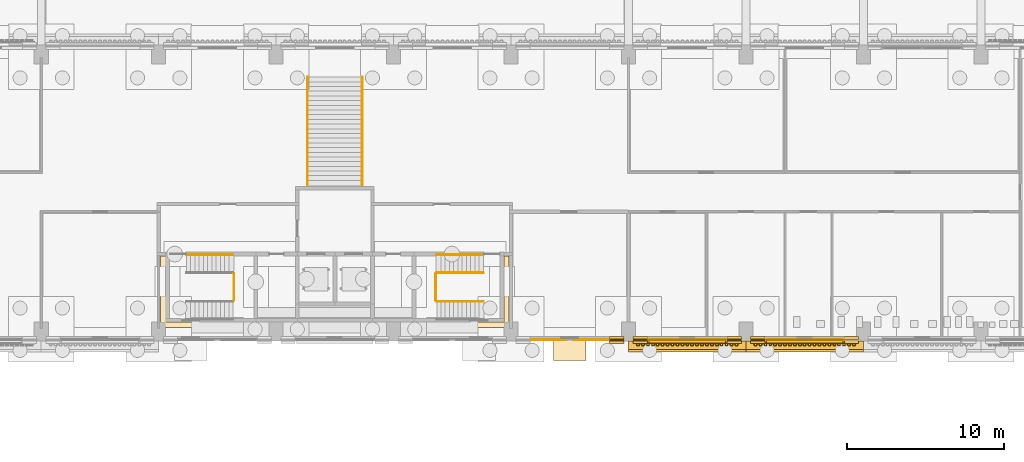
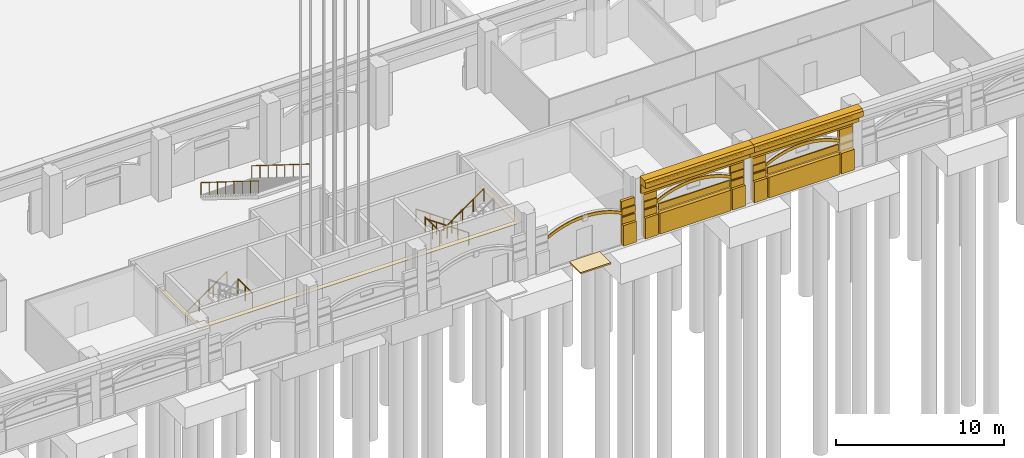
# One storey, part 68 of 99: 33 coverings, 8 railings.
"""IFC4 building model written with IfcOpenShell, lengths in metres."""

from ifc_helpers import new_model, si_unit, direction, frame, origin, origin_2d, place, context, subcontext, project, spatial, polyline, circle, outline, extrude, material, layer, layer_set, type_object, element, save


model = new_model("IFC4")

# Units and contexts
model_context = context("Model", 3, precision=1e-05, world=origin(), true_north=direction((0.0, 1.0)))
body_context = subcontext(model_context, "Body", "Model", "MODEL_VIEW")
ifc_project = project(units=[si_unit("LENGTHUNIT", "METRE"), si_unit("AREAUNIT", "SQUARE_METRE"), si_unit("VOLUMEUNIT", "CUBIC_METRE"), si_unit("PLANEANGLEUNIT", "RADIAN"), si_unit("MASSUNIT", "GRAM", prefix="KILO")], contexts=[model_context])

# Site, building, storey
site_placement = place(None, origin())
site = spatial("IfcSite", under=ifc_project, at=site_placement, CompositionType="ELEMENT")
building_placement = place(site_placement, origin())
building = spatial("IfcBuilding", under=site, at=building_placement, Name="Cour d'Honneur Mobility Palace", CompositionType="ELEMENT")
storey_placement = place(building_placement, origin())
storey = spatial("IfcBuildingStorey", under=building, at=storey_placement, Name="L00", CompositionType="ELEMENT", Elevation=0.0)

# Coverings
ifc_material_1 = material(Name="Cast limestone", Category="masonry")
ifc_layer_1 = layer(ifc_material_1, 0.050048828125)
ifc_layer_set_1 = layer_set([ifc_layer_1], Name="Cast limestone")
covering_type_1 = type_object("IfcCoveringType", Name="Arch hood", PredefinedType="CLADDING", material=ifc_layer_set_1)
for number, where, z_axis, x_axis, name in (
    (1, (93.60009765625, 44.300048828125, 2.179931640625), (0.0, -1.0, 0.0), (0.893466628376, 0.0, 0.449129584839), "Arch hood AH-17"),
    (2, (101.10009765625, 44.300048828125, 2.179931640625), (0.0, -1.0, 0.0), (0.893466628376, 0.0, 0.449129584839), "Arch hood AH-18"),
    (3, (108.60009765625, 44.300048828125, 2.179931640625), (0.0, -1.0, 0.0), (0.893466628376, 0.0, 0.449129584839), "Arch hood AH-19"),
):
    element("IfcCovering", number, at=place(storey_placement, frame(where, z_axis=z_axis, x_axis=x_axis)), inside=storey, type_object=covering_type_1, Name=name, PredefinedType="CLADDING", context=body_context, shape_type="SweptSolid", body=[
        extrude(outline(polyline([(0.0, 0.0), (0.35659251896621735, 0.0), (0.7019994885684498, -0.022795326888668588), (1.0365522012474004, -0.0666397586034293), (1.3614544754480467, -0.13022567619190017), (1.6770364335570624, -0.21235277137119013), (1.9834088964060255, -0.3122569988605455), (2.2812274285521696, -0.4297213972129261), (2.5701654177709066, -0.564308533372167), (2.850768777841922, -0.7160195773922962), (3.122709726486599, -0.8849630099968336), (3.38566048142632, -1.0712473119092998), (3.6398380041081246, -1.2755280476869282), (3.8844770791972314, -1.4982403102778272), (4.119465715808033, -1.740694058742436), (4.343818226996622, -2.004306562810686), (4.556548925819088, -2.2904950922125074), (4.655344276390369, -2.0939586097498237), (4.44272322834545, -1.807551948846934), (4.218261066379314, -1.5441575762797524), (3.983272429768512, -1.3017038278151434), (3.7387430054569535, -1.078773433723176), (3.4844558319976, -0.8747108294466162), (3.221505077057879, -0.68842652753415), (2.949564128413202, -0.5194830949296125), (2.6689607683421865, -0.3677720509094833), (2.3800227791234496, -0.2331849147502425), (2.0822042469773057, -0.11572051639786185), (1.7758317841283424, -0.015816288908506504), (1.4603594767968753, 0.06652893777185187), (1.1353475518186806, 0.12989672385925438), (0.8007948391397299, 0.17374115557401504), (0.45549752031504603, 0.1967546139637521), (0.09879535057128006, 0.19653648246268365), (0.0, 0.0)])), origin(), (0.0, 0.0, -1.0), 0.050048828125),
    ])
ifc_material_2 = material(Name="Cast limestone", Category="masonry")
ifc_layer_2 = layer(ifc_material_2, 0.14990234375)
ifc_layer_set_2 = layer_set([ifc_layer_2], Name="Cast limestone")
covering_type_2 = type_object("IfcCoveringType", Name="Dentil course", PredefinedType="CLADDING", material=ifc_layer_set_2)
covering_1_placement = place(storey_placement, frame((0.0, 0.0, 3.949951171875)))
element("IfcCovering", 4, at=covering_1_placement, inside=storey, type_object=covering_type_2, Name="Dentil course DC-12", PredefinedType="CLADDING", context=body_context, shape_type="SweptSolid", body=[
    extrude(outline(polyline([(100.35009765625, 44.10009765625), (106.949951171875, 44.10009765625), (106.949951171875, 44.070068359375), (106.949951171875, 44.070068359375), (106.871337890625, 44.070068359375), (106.871337890625, 43.949951171875), (106.71435546875, 43.949951171875), (106.71435546875, 44.070068359375), (106.6357421875, 44.070068359375), (106.6357421875, 44.070068359375), (106.55712890625, 44.070068359375), (106.55712890625, 43.949951171875), (106.39990234375, 43.949951171875), (106.39990234375, 44.070068359375), (106.321533203125, 44.070068359375), (106.321533203125, 44.070068359375), (106.242919921875, 44.070068359375), (106.242919921875, 43.949951171875), (106.085693359375, 43.949951171875), (106.085693359375, 44.070068359375), (106.007080078125, 44.070068359375), (106.007080078125, 44.070068359375), (105.928466796875, 44.070068359375), (105.928466796875, 43.949951171875), (105.771484375, 43.949951171875), (105.771484375, 44.070068359375), (105.69287109375, 44.070068359375), (105.69287109375, 44.070068359375), (105.6142578125, 44.070068359375), (105.6142578125, 43.949951171875), (105.45703125, 43.949951171875), (105.45703125, 44.070068359375), (105.378662109375, 44.070068359375), (105.378662109375, 44.070068359375), (105.300048828125, 44.070068359375), (105.300048828125, 43.949951171875), (105.142822265625, 43.949951171875), (105.142822265625, 44.070068359375), (105.064208984375, 44.070068359375), (105.064208984375, 44.070068359375), (104.985595703125, 44.070068359375), (104.985595703125, 43.949951171875), (104.82861328125, 43.949951171875), (104.82861328125, 44.070068359375), (104.75, 44.070068359375), (104.75, 44.070068359375), (104.67138671875, 44.070068359375), (104.67138671875, 43.949951171875), (104.514404296875, 43.949951171875), (104.514404296875, 44.070068359375), (104.435791015625, 44.070068359375), (104.435791015625, 44.070068359375), (104.357177734375, 44.070068359375), (104.357177734375, 43.949951171875), (104.199951171875, 43.949951171875), (104.199951171875, 44.070068359375), (104.121337890625, 44.070068359375), (104.121337890625, 44.070068359375), (104.04296875, 44.070068359375), (104.04296875, 43.949951171875), (103.8857421875, 43.949951171875), (103.8857421875, 44.070068359375), (103.80712890625, 44.070068359375), (103.80712890625, 44.070068359375), (103.728515625, 44.070068359375), (103.728515625, 43.949951171875), (103.571533203125, 43.949951171875), (103.571533203125, 44.070068359375), (103.492919921875, 44.070068359375), (103.492919921875, 44.070068359375), (103.414306640625, 44.070068359375), (103.414306640625, 43.949951171875), (103.257080078125, 43.949951171875), (103.257080078125, 44.070068359375), (103.178466796875, 44.070068359375), (103.178466796875, 44.070068359375), (103.10009765625, 44.070068359375), (103.10009765625, 43.949951171875), (102.94287109375, 43.949951171875), (102.94287109375, 44.070068359375), (102.8642578125, 44.070068359375), (102.8642578125, 44.070068359375), (102.78564453125, 44.070068359375), (102.78564453125, 43.949951171875), (102.628662109375, 43.949951171875), (102.628662109375, 44.070068359375), (102.550048828125, 44.070068359375), (102.550048828125, 44.070068359375), (102.471435546875, 44.070068359375), (102.471435546875, 43.949951171875), (102.314208984375, 43.949951171875), (102.314208984375, 44.070068359375), (102.235595703125, 44.070068359375), (102.235595703125, 44.070068359375), (102.1572265625, 44.070068359375), (102.1572265625, 43.949951171875), (102.0, 43.949951171875), (102.0, 44.070068359375), (101.92138671875, 44.070068359375), (101.92138671875, 44.070068359375), (101.8427734375, 44.070068359375), (101.8427734375, 43.949951171875), (101.685791015625, 43.949951171875), (101.685791015625, 44.070068359375), (101.607177734375, 44.070068359375), (101.607177734375, 44.070068359375), (101.528564453125, 44.070068359375), (101.528564453125, 43.949951171875), (101.371337890625, 43.949951171875), (101.371337890625, 44.070068359375), (101.29296875, 44.070068359375), (101.29296875, 44.070068359375), (101.21435546875, 44.070068359375), (101.21435546875, 43.949951171875), (101.05712890625, 43.949951171875), (101.05712890625, 44.070068359375), (100.978515625, 44.070068359375), (100.978515625, 44.070068359375), (100.89990234375, 44.070068359375), (100.89990234375, 43.949951171875), (100.742919921875, 43.949951171875), (100.742919921875, 44.070068359375), (100.664306640625, 44.070068359375), (100.664306640625, 44.070068359375), (100.585693359375, 44.070068359375), (100.585693359375, 43.949951171875), (100.428466796875, 43.949951171875), (100.428466796875, 44.070068359375), (100.35009765625, 44.070068359375), (100.35009765625, 44.10009765625)])), origin(), (0.0, 0.0, 1.0), 0.150146484375),
])
covering_2_placement = place(storey_placement, frame((0.0, 0.0, 3.949951171875)))
element("IfcCovering", 5, at=covering_2_placement, inside=storey, type_object=covering_type_2, Name="Dentil course DC-13", PredefinedType="CLADDING", context=body_context, shape_type="SweptSolid", body=[
    extrude(outline(polyline([(107.85009765625, 44.10009765625), (114.449951171875, 44.10009765625), (114.449951171875, 44.070068359375), (114.449951171875, 44.070068359375), (114.371337890625, 44.070068359375), (114.371337890625, 43.949951171875), (114.21435546875, 43.949951171875), (114.21435546875, 44.070068359375), (114.1357421875, 44.070068359375), (114.1357421875, 44.070068359375), (114.05712890625, 44.070068359375), (114.05712890625, 43.949951171875), (113.89990234375, 43.949951171875), (113.89990234375, 44.070068359375), (113.821533203125, 44.070068359375), (113.821533203125, 44.070068359375), (113.742919921875, 44.070068359375), (113.742919921875, 43.949951171875), (113.585693359375, 43.949951171875), (113.585693359375, 44.070068359375), (113.507080078125, 44.070068359375), (113.507080078125, 44.070068359375), (113.428466796875, 44.070068359375), (113.428466796875, 43.949951171875), (113.271484375, 43.949951171875), (113.271484375, 44.070068359375), (113.19287109375, 44.070068359375), (113.19287109375, 44.070068359375), (113.1142578125, 44.070068359375), (113.1142578125, 43.949951171875), (112.95703125, 43.949951171875), (112.95703125, 44.070068359375), (112.878662109375, 44.070068359375), (112.878662109375, 44.070068359375), (112.800048828125, 44.070068359375), (112.800048828125, 43.949951171875), (112.642822265625, 43.949951171875), (112.642822265625, 44.070068359375), (112.564208984375, 44.070068359375), (112.564208984375, 44.070068359375), (112.485595703125, 44.070068359375), (112.485595703125, 43.949951171875), (112.32861328125, 43.949951171875), (112.32861328125, 44.070068359375), (112.25, 44.070068359375), (112.25, 44.070068359375), (112.17138671875, 44.070068359375), (112.17138671875, 43.949951171875), (112.014404296875, 43.949951171875), (112.014404296875, 44.070068359375), (111.935791015625, 44.070068359375), (111.935791015625, 44.070068359375), (111.857177734375, 44.070068359375), (111.857177734375, 43.949951171875), (111.699951171875, 43.949951171875), (111.699951171875, 44.070068359375), (111.621337890625, 44.070068359375), (111.621337890625, 44.070068359375), (111.54296875, 44.070068359375), (111.54296875, 43.949951171875), (111.3857421875, 43.949951171875), (111.3857421875, 44.070068359375), (111.30712890625, 44.070068359375), (111.30712890625, 44.070068359375), (111.228515625, 44.070068359375), (111.228515625, 43.949951171875), (111.071533203125, 43.949951171875), (111.071533203125, 44.070068359375), (110.992919921875, 44.070068359375), (110.992919921875, 44.070068359375), (110.914306640625, 44.070068359375), (110.914306640625, 43.949951171875), (110.757080078125, 43.949951171875), (110.757080078125, 44.070068359375), (110.678466796875, 44.070068359375), (110.678466796875, 44.070068359375), (110.60009765625, 44.070068359375), (110.60009765625, 43.949951171875), (110.44287109375, 43.949951171875), (110.44287109375, 44.070068359375), (110.3642578125, 44.070068359375), (110.3642578125, 44.070068359375), (110.28564453125, 44.070068359375), (110.28564453125, 43.949951171875), (110.128662109375, 43.949951171875), (110.128662109375, 44.070068359375), (110.050048828125, 44.070068359375), (110.050048828125, 44.070068359375), (109.971435546875, 44.070068359375), (109.971435546875, 43.949951171875), (109.814208984375, 43.949951171875), (109.814208984375, 44.070068359375), (109.735595703125, 44.070068359375), (109.735595703125, 44.070068359375), (109.6572265625, 44.070068359375), (109.6572265625, 43.949951171875), (109.5, 43.949951171875), (109.5, 44.070068359375), (109.42138671875, 44.070068359375), (109.42138671875, 44.070068359375), (109.3427734375, 44.070068359375), (109.3427734375, 43.949951171875), (109.185791015625, 43.949951171875), (109.185791015625, 44.070068359375), (109.107177734375, 44.070068359375), (109.107177734375, 44.070068359375), (109.028564453125, 44.070068359375), (109.028564453125, 43.949951171875), (108.871337890625, 43.949951171875), (108.871337890625, 44.070068359375), (108.79296875, 44.070068359375), (108.79296875, 44.070068359375), (108.71435546875, 44.070068359375), (108.71435546875, 43.949951171875), (108.55712890625, 43.949951171875), (108.55712890625, 44.070068359375), (108.478515625, 44.070068359375), (108.478515625, 44.070068359375), (108.39990234375, 44.070068359375), (108.39990234375, 43.949951171875), (108.242919921875, 43.949951171875), (108.242919921875, 44.070068359375), (108.164306640625, 44.070068359375), (108.164306640625, 44.070068359375), (108.085693359375, 44.070068359375), (108.085693359375, 43.949951171875), (107.928466796875, 43.949951171875), (107.928466796875, 44.070068359375), (107.85009765625, 44.070068359375), (107.85009765625, 44.10009765625)])), origin(), (0.0, 0.0, 1.0), 0.150146484375),
])
ifc_material_3 = material(Name="Cast limestone", Category="masonry")
ifc_layer_3 = layer(ifc_material_3, 0.699951171875)
ifc_layer_set_3 = layer_set([ifc_layer_3], Name="Cast limestone")
covering_type_3 = type_object("IfcCoveringType", Name="Entablature", PredefinedType="CLADDING", material=ifc_layer_set_3)
for number, where, z_axis, x_axis, name in (
    (6, (99.89990234375, 44.25, 3.39990234375), (-1.0, 0.0, 0.0), (0.0, -1.0, 0.0), "Entablature EN-12"),
    (7, (107.39990234375, 44.25, 3.39990234375), (-1.0, 0.0, 0.0), (0.0, -1.0, 0.0), "Entablature EN-13"),
):
    element("IfcCovering", number, at=place(storey_placement, frame(where, z_axis=z_axis, x_axis=x_axis)), inside=storey, type_object=covering_type_3, Name=name, PredefinedType="CLADDING", context=body_context, shape_type="SweptSolid", body=[
        extrude(outline(polyline([(0.0, 0.0), (0.14990234375, 0.0), (0.14990234375, 0.7001953125), (0.699951171875, 0.7001953125), (0.699951171875, 1.10009765625), (0.550048828125, 1.2001953125), (0.0, 1.2001953125), (0.0, 0.0)])), origin(), (0.0, 0.0, -1.0), 7.5),
    ])
ifc_material_4 = material(Name="Granite paving", Category="masonry")
ifc_layer_4 = layer(ifc_material_4, 0.10009765625)
ifc_layer_set_4 = layer_set([ifc_layer_4], Name="Granite paving")
covering_type_4 = type_object("IfcCoveringType", Name="Entrance paving", PredefinedType="FLOORING", material=ifc_layer_set_4)
covering_3_placement = place(storey_placement, frame((0.0, 0.0, -0.10009765625)))
element("IfcCovering", 8, at=covering_3_placement, inside=storey, type_object=covering_type_4, Name="Entrance paving PV-6", PredefinedType="FLOORING", context=body_context, shape_type="SweptSolid", body=[
    extrude(outline(polyline([(95.10009765625, 44.35009765625), (97.199951171875, 44.35009765625), (97.199951171875, 43.0), (95.10009765625, 43.0), (95.10009765625, 44.35009765625)])), origin(), (0.0, 0.0, 1.0), 0.10009765625),
])

# Railings
ifc_material_5 = material(Name="Painted steel", Category="steel")
railing_type_1 = type_object("IfcRailingType", Name="Guardrail 1100", PredefinedType="GUARDRAIL", material=ifc_material_5)
for number, where, name in (
    (9, (74.705078125, 46.824951171875, 2.25), "Landing guard ST-CC1"),
    (10, (87.594970703125, 46.824951171875, 2.25), "Landing guard ST-CC2"),
):
    element("IfcRailing", number, at=place(storey_placement, frame(where)), inside=storey, type_object=railing_type_1, Name=name, PredefinedType="GUARDRAIL", context=body_context, shape_type="SweptSolid", body=[
        extrude(circle(Radius=0.02490234375, at=origin_2d()), frame((0.0, 0.0, 1.0751953125), z_axis=(0.0, 1.0, 0.0), x_axis=(-1.0, 0.0, 0.0)), (0.0, 0.0, 1.0), 1.72509765625),
        extrude(circle(Radius=0.02099609375, at=origin_2d()), origin(), (0.0, 0.0, 1.0), 1.050048828125),
        extrude(circle(Radius=0.02099609375, at=origin_2d()), frame((0.0, 0.862548828125, 0.0)), (0.0, 0.0, 1.0), 1.050048828125),
        extrude(circle(Radius=0.02099609375, at=origin_2d()), frame((0.0, 1.72509765625, 0.0)), (0.0, 0.0, 1.0), 1.050048828125),
    ])
ifc_material_6 = material(Name="Stainless steel", Category="steel")
railing_type_2 = type_object("IfcRailingType", Name="Handrail round 50", PredefinedType="HANDRAIL", material=ifc_material_6)
railing_1_placement = place(storey_placement, frame((71.77490234375, 49.75, 0.2568359375)))
element("IfcRailing", 11, at=railing_1_placement, inside=storey, type_object=railing_type_2, Name="Handrail ST-CC1", PredefinedType="HANDRAIL", context=body_context, shape_type="SweptSolid", body=[
    extrude(circle(Radius=0.02490234375, at=origin_2d()), frame((0.0, 0.0, 0.89501953125), z_axis=(0.821366328601, 0.0, 0.570401046844), x_axis=(0.0, 1.0, 0.0)), (0.0, 0.0, 1.0), 3.494384765625),
    extrude(circle(Radius=0.02099609375, at=origin_2d()), origin(), (0.0, 0.0, 1.0), 0.869873046875),
    extrude(circle(Radius=0.02099609375, at=origin_2d()), frame((0.956787109375, 0.0, 0.664306640625)), (0.0, 0.0, 1.0), 0.869873046875),
    extrude(circle(Radius=0.02099609375, at=origin_2d()), frame((1.913330078125, 0.0, 1.328857421875)), (0.0, 0.0, 1.0), 0.869873046875),
    extrude(circle(Radius=0.02099609375, at=origin_2d()), frame((2.8701171875, 0.0, 1.9931640625)), (0.0, 0.0, 1.0), 0.869873046875),
])
railing_2_placement = place(storey_placement, frame((90.52490234375, 49.75, 0.2568359375)))
element("IfcRailing", 12, at=railing_2_placement, inside=storey, type_object=railing_type_2, Name="Handrail ST-CC2", PredefinedType="HANDRAIL", context=body_context, shape_type="SweptSolid", body=[
    extrude(circle(Radius=0.02490234375, at=origin_2d()), frame((0.0, 0.0, 0.89501953125), z_axis=(-0.821343594628, 0.0, 0.570433781926), x_axis=(0.0, -1.0, 0.0)), (0.0, 0.0, 1.0), 3.494140625),
    extrude(circle(Radius=0.02099609375, at=origin_2d()), origin(), (0.0, 0.0, 1.0), 0.869873046875),
    extrude(circle(Radius=0.02099609375, at=origin_2d()), frame((-0.95654296875, 0.0, 0.664306640625)), (0.0, 0.0, 1.0), 0.869873046875),
    extrude(circle(Radius=0.02099609375, at=origin_2d()), frame((-1.913330078125, 0.0, 1.328857421875)), (0.0, 0.0, 1.0), 0.869873046875),
    extrude(circle(Radius=0.02099609375, at=origin_2d()), frame((-2.869873046875, 0.0, 1.9931640625)), (0.0, 0.0, 1.0), 0.869873046875),
])
railing_3_placement = place(storey_placement, frame((90.625, 48.60009765625, 0.1875)))
element("IfcRailing", 13, at=railing_3_placement, inside=storey, type_object=railing_type_2, Name="Handrail ST-CC2", PredefinedType="HANDRAIL", context=body_context, shape_type="SweptSolid", body=[
    extrude(circle(Radius=0.02490234375, at=origin_2d()), frame((0.0, 0.0, 0.89501953125), z_axis=(-0.821367329581, 0.0, 0.57039960545), x_axis=(0.0, -1.0, 0.0)), (0.0, 0.0, 1.0), 3.615966796875),
    extrude(circle(Radius=0.02099609375, at=origin_2d()), origin(), (0.0, 0.0, 1.0), 0.869873046875),
    extrude(circle(Radius=0.02099609375, at=origin_2d()), frame((-0.742431640625, 0.0, 0.515625)), (0.0, 0.0, 1.0), 0.869873046875),
    extrude(circle(Radius=0.02099609375, at=origin_2d()), frame((-1.48486328125, 0.0, 1.03125)), (0.0, 0.0, 1.0), 0.869873046875),
    extrude(circle(Radius=0.02099609375, at=origin_2d()), frame((-2.2275390625, 0.0, 1.546875)), (0.0, 0.0, 1.0), 0.869873046875),
    extrude(circle(Radius=0.02099609375, at=origin_2d()), frame((-2.969970703125, 0.0, 2.0625)), (0.0, 0.0, 1.0), 0.869873046875),
])
railing_4_placement = place(storey_placement, frame((87.655029296875, 46.77490234375, 2.4375)))
element("IfcRailing", 14, at=railing_4_placement, inside=storey, type_object=railing_type_2, Name="Handrail ST-CC2", PredefinedType="HANDRAIL", context=body_context, shape_type="SweptSolid", body=[
    extrude(circle(Radius=0.02490234375, at=origin_2d()), frame((0.0, 0.0, 0.89501953125), z_axis=(0.821367329581, 0.0, 0.57039960545), x_axis=(0.0, 1.0, 0.0)), (0.0, 0.0, 1.0), 3.615966796875),
    extrude(circle(Radius=0.02099609375, at=origin_2d()), origin(), (0.0, 0.0, 1.0), 0.869873046875),
    extrude(circle(Radius=0.02099609375, at=origin_2d()), frame((0.742431640625, 0.0, 0.515625)), (0.0, 0.0, 1.0), 0.869873046875),
    extrude(circle(Radius=0.02099609375, at=origin_2d()), frame((1.48486328125, 0.0, 1.03125)), (0.0, 0.0, 1.0), 0.869873046875),
    extrude(circle(Radius=0.02099609375, at=origin_2d()), frame((2.2275390625, 0.0, 1.546875)), (0.0, 0.0, 1.0), 0.869873046875),
    extrude(circle(Radius=0.02099609375, at=origin_2d()), frame((2.969970703125, 0.0, 2.0625)), (0.0, 0.0, 1.0), 0.869873046875),
])
for number, where, name in (
    (15, (79.39990234375, 61.10009765625, 0.1875), "Handrail grand stair"),
    (16, (82.89990234375, 61.10009765625, 0.1875), "Handrail grand stair"),
):
    element("IfcRailing", number, at=place(storey_placement, frame(where)), inside=storey, type_object=railing_type_2, Name=name, PredefinedType="HANDRAIL", context=body_context, shape_type="SweptSolid", body=[
        extrude(circle(Radius=0.02490234375, at=origin_2d()), frame((0.0, 0.0, 0.89501953125), z_axis=(0.0, -0.848003360822, 0.52999084901), x_axis=(1.0, 0.0, 0.0)), (0.0, 0.0, 1.0), 8.136962890625),
        extrude(circle(Radius=0.02099609375, at=origin_2d()), origin(), (0.0, 0.0, 1.0), 0.869873046875),
        extrude(circle(Radius=0.02099609375, at=origin_2d()), frame((0.0, -0.98583984375, 0.615966796875)), (0.0, 0.0, 1.0), 0.869873046875),
        extrude(circle(Radius=0.02099609375, at=origin_2d()), frame((0.0, -1.971435546875, 1.232177734375)), (0.0, 0.0, 1.0), 0.869873046875),
        extrude(circle(Radius=0.02099609375, at=origin_2d()), frame((0.0, -2.957275390625, 1.84814453125)), (0.0, 0.0, 1.0), 0.869873046875),
        extrude(circle(Radius=0.02099609375, at=origin_2d()), frame((0.0, -3.94287109375, 2.46435546875)), (0.0, 0.0, 1.0), 0.869873046875),
        extrude(circle(Radius=0.02099609375, at=origin_2d()), frame((0.0, -4.9287109375, 3.080322265625)), (0.0, 0.0, 1.0), 0.869873046875),
        extrude(circle(Radius=0.02099609375, at=origin_2d()), frame((0.0, -5.914306640625, 3.696533203125)), (0.0, 0.0, 1.0), 0.869873046875),
        extrude(circle(Radius=0.02099609375, at=origin_2d()), frame((0.0, -6.900146484375, 4.3125)), (0.0, 0.0, 1.0), 0.869873046875),
    ])

# Coverings
ifc_material_7 = material(Name="Cast limestone", Category="masonry")
ifc_layer_5 = layer(ifc_material_7, 0.25)
ifc_layer_set_5 = layer_set([ifc_layer_5], Name="Cast limestone")
covering_type_5 = type_object("IfcCoveringType", Name="Plinth course", PredefinedType="CLADDING", material=ifc_layer_set_5)
covering_4_placement = place(storey_placement, origin())
element("IfcCovering", 17, at=covering_4_placement, inside=storey, type_object=covering_type_5, Name="Plinth course PI-50", PredefinedType="CLADDING", context=body_context, shape_type="SweptSolid", body=[
    extrude(outline(polyline([(98.699951171875, 44.35009765625), (99.60009765625, 44.35009765625), (99.60009765625, 44.10009765625), (98.699951171875, 44.10009765625), (98.699951171875, 44.35009765625)])), origin(), (0.0, 0.0, 1.0), 1.5),
])
covering_5_placement = place(storey_placement, origin())
element("IfcCovering", 18, at=covering_5_placement, inside=storey, type_object=covering_type_5, Name="Plinth course PI-51", PredefinedType="CLADDING", context=body_context, shape_type="SweptSolid", body=[
    extrude(outline(polyline([(100.199951171875, 44.35009765625), (101.10009765625, 44.35009765625), (101.10009765625, 44.10009765625), (100.199951171875, 44.10009765625), (100.199951171875, 44.35009765625)])), origin(), (0.0, 0.0, 1.0), 1.5),
])
covering_6_placement = place(storey_placement, origin())
element("IfcCovering", 19, at=covering_6_placement, inside=storey, type_object=covering_type_5, Name="Plinth course PI-52", PredefinedType="CLADDING", context=body_context, shape_type="SweptSolid", body=[
    extrude(outline(polyline([(106.199951171875, 44.35009765625), (107.10009765625, 44.35009765625), (107.10009765625, 44.10009765625), (106.199951171875, 44.10009765625), (106.199951171875, 44.35009765625)])), origin(), (0.0, 0.0, 1.0), 1.5),
])
covering_7_placement = place(storey_placement, origin())
element("IfcCovering", 20, at=covering_7_placement, inside=storey, type_object=covering_type_5, Name="Plinth course PI-53", PredefinedType="CLADDING", context=body_context, shape_type="SweptSolid", body=[
    extrude(outline(polyline([(101.199951171875, 44.35009765625), (106.10009765625, 44.35009765625), (106.10009765625, 44.10009765625), (101.199951171875, 44.10009765625), (101.199951171875, 44.35009765625)])), origin(), (0.0, 0.0, 1.0), 1.5),
])
covering_8_placement = place(storey_placement, origin())
element("IfcCovering", 21, at=covering_8_placement, inside=storey, type_object=covering_type_5, Name="Plinth course PI-54", PredefinedType="CLADDING", context=body_context, shape_type="SweptSolid", body=[
    extrude(outline(polyline([(107.699951171875, 44.35009765625), (108.60009765625, 44.35009765625), (108.60009765625, 44.10009765625), (107.699951171875, 44.10009765625), (107.699951171875, 44.35009765625)])), origin(), (0.0, 0.0, 1.0), 1.5),
])
covering_9_placement = place(storey_placement, origin())
element("IfcCovering", 22, at=covering_9_placement, inside=storey, type_object=covering_type_5, Name="Plinth course PI-55", PredefinedType="CLADDING", context=body_context, shape_type="SweptSolid", body=[
    extrude(outline(polyline([(113.699951171875, 44.35009765625), (114.60009765625, 44.35009765625), (114.60009765625, 44.10009765625), (113.699951171875, 44.10009765625), (113.699951171875, 44.35009765625)])), origin(), (0.0, 0.0, 1.0), 1.5),
])
covering_10_placement = place(storey_placement, origin())
element("IfcCovering", 23, at=covering_10_placement, inside=storey, type_object=covering_type_5, Name="Plinth course PI-56", PredefinedType="CLADDING", context=body_context, shape_type="SweptSolid", body=[
    extrude(outline(polyline([(108.699951171875, 44.35009765625), (113.60009765625, 44.35009765625), (113.60009765625, 44.10009765625), (108.699951171875, 44.10009765625), (108.699951171875, 44.35009765625)])), origin(), (0.0, 0.0, 1.0), 1.5),
])
ifc_material_8 = material(Name="Cast limestone", Category="masonry")
ifc_layer_6 = layer(ifc_material_8, 0.199951171875)
ifc_layer_set_6 = layer_set([ifc_layer_6], Name="Cast limestone")
covering_type_6 = type_object("IfcCoveringType", Name="Rusticated jamb panel", PredefinedType="CLADDING", material=ifc_layer_set_6)
for number, where, z_axis, x_axis, name in (
    (24, (98.699951171875, 44.35009765625, 0.0), (0.0, -1.0, 0.0), (1.0, 0.0, 0.0), "Rusticated jamb panel RP-38"),
    (25, (100.199951171875, 44.35009765625, 0.0), (0.0, -1.0, 0.0), (1.0, 0.0, 0.0), "Rusticated jamb panel RP-39"),
    (26, (106.199951171875, 44.35009765625, 0.0), (0.0, -1.0, 0.0), (1.0, 0.0, 0.0), "Rusticated jamb panel RP-40"),
    (27, (107.699951171875, 44.35009765625, 0.0), (0.0, -1.0, 0.0), (1.0, 0.0, 0.0), "Rusticated jamb panel RP-41"),
    (28, (113.699951171875, 44.35009765625, 0.0), (0.0, -1.0, 0.0), (1.0, 0.0, 0.0), "Rusticated jamb panel RP-42"),
):
    element("IfcCovering", number, at=place(storey_placement, frame(where, z_axis=z_axis, x_axis=x_axis)), inside=storey, type_object=covering_type_6, Name=name, PredefinedType="CLADDING", context=body_context, shape_type="SweptSolid", body=[
        extrude(outline(polyline([(0.0, 0.0), (0.900146484375, 0.0), (0.900146484375, 3.10009765625), (0.0, 3.10009765625), (0.0, 0.0)])), origin(), (0.0, 0.0, -1.0), 0.199951171875),
    ])
ifc_material_9 = material(Name="Cast limestone", Category="masonry")
ifc_layer_7 = layer(ifc_material_9, 0.080078125)
ifc_layer_set_7 = layer_set([ifc_layer_7], Name="Cast limestone")
covering_type_7 = type_object("IfcCoveringType", Name="Rustication course", PredefinedType="CLADDING", material=ifc_layer_set_7)
for number, where, name in (
    (29, (0.0, 0.0, 1.5), "Rustication course RC-85"),
    (30, (0.0, 0.0, 2.10009765625), "Rustication course RC-86"),
):
    element("IfcCovering", number, at=place(storey_placement, frame(where)), inside=storey, type_object=covering_type_7, Name=name, PredefinedType="CLADDING", context=body_context, shape_type="SweptSolid", body=[
        extrude(outline(polyline([(98.699951171875, 44.35009765625), (99.60009765625, 44.35009765625), (99.60009765625, 44.27001953125), (98.699951171875, 44.27001953125), (98.699951171875, 44.35009765625)])), origin(), (0.0, 0.0, 1.0), 0.47998046875),
    ])
for number, where, name in (
    (31, (0.0, 0.0, 1.5), "Rustication course RC-87"),
    (32, (0.0, 0.0, 2.10009765625), "Rustication course RC-88"),
):
    element("IfcCovering", number, at=place(storey_placement, frame(where)), inside=storey, type_object=covering_type_7, Name=name, PredefinedType="CLADDING", context=body_context, shape_type="SweptSolid", body=[
        extrude(outline(polyline([(100.199951171875, 44.35009765625), (101.10009765625, 44.35009765625), (101.10009765625, 44.27001953125), (100.199951171875, 44.27001953125), (100.199951171875, 44.35009765625)])), origin(), (0.0, 0.0, 1.0), 0.47998046875),
    ])
for number, where, name in (
    (33, (0.0, 0.0, 1.5), "Rustication course RC-89"),
    (34, (0.0, 0.0, 2.10009765625), "Rustication course RC-90"),
):
    element("IfcCovering", number, at=place(storey_placement, frame(where)), inside=storey, type_object=covering_type_7, Name=name, PredefinedType="CLADDING", context=body_context, shape_type="SweptSolid", body=[
        extrude(outline(polyline([(106.199951171875, 44.35009765625), (107.10009765625, 44.35009765625), (107.10009765625, 44.27001953125), (106.199951171875, 44.27001953125), (106.199951171875, 44.35009765625)])), origin(), (0.0, 0.0, 1.0), 0.47998046875),
    ])
covering_11_placement = place(storey_placement, frame((0.0, 0.0, 1.6201171875)))
element("IfcCovering", 35, at=covering_11_placement, inside=storey, type_object=covering_type_7, Name="Rustication course RC-91", PredefinedType="CLADDING", context=body_context, shape_type="SweptSolid", body=[
    extrude(outline(polyline([(101.199951171875, 44.35009765625), (106.10009765625, 44.35009765625), (106.10009765625, 44.27001953125), (101.199951171875, 44.27001953125), (101.199951171875, 44.35009765625)])), origin(), (0.0, 0.0, 1.0), 0.47998046875),
])
for number, where, name in (
    (36, (0.0, 0.0, 1.5), "Rustication course RC-92"),
    (37, (0.0, 0.0, 2.10009765625), "Rustication course RC-93"),
):
    element("IfcCovering", number, at=place(storey_placement, frame(where)), inside=storey, type_object=covering_type_7, Name=name, PredefinedType="CLADDING", context=body_context, shape_type="SweptSolid", body=[
        extrude(outline(polyline([(107.699951171875, 44.35009765625), (108.60009765625, 44.35009765625), (108.60009765625, 44.27001953125), (107.699951171875, 44.27001953125), (107.699951171875, 44.35009765625)])), origin(), (0.0, 0.0, 1.0), 0.47998046875),
    ])
covering_12_placement = place(storey_placement, frame((0.0, 0.0, 1.6201171875)))
element("IfcCovering", 38, at=covering_12_placement, inside=storey, type_object=covering_type_7, Name="Rustication course RC-96", PredefinedType="CLADDING", context=body_context, shape_type="SweptSolid", body=[
    extrude(outline(polyline([(108.699951171875, 44.35009765625), (113.60009765625, 44.35009765625), (113.60009765625, 44.27001953125), (108.699951171875, 44.27001953125), (108.699951171875, 44.35009765625)])), origin(), (0.0, 0.0, 1.0), 0.47998046875),
])
ifc_material_10 = material(Name="Cast limestone", Category="masonry")
ifc_layer_8 = layer(ifc_material_10, 0.25)
ifc_layer_set_8 = layer_set([ifc_layer_8], Name="Cast limestone")
covering_type_8 = type_object("IfcCoveringType", Name="Spandrel cladding", PredefinedType="CLADDING", material=ifc_layer_set_8)
for number, where, z_axis, x_axis, name in (
    (39, (100.199951171875, 44.550048828125, 3.10009765625), (-1.0, 0.0, 0.0), (0.0, -1.0, 0.0), "Spandrel cladding SK-12"),
    (40, (107.699951171875, 44.550048828125, 3.10009765625), (-1.0, 0.0, 0.0), (0.0, -1.0, 0.0), "Spandrel cladding SK-13"),
):
    element("IfcCovering", number, at=place(storey_placement, frame(where, z_axis=z_axis, x_axis=x_axis)), inside=storey, type_object=covering_type_8, Name=name, PredefinedType="CLADDING", context=body_context, shape_type="SweptSolid", body=[
        extrude(outline(polyline([(0.0, 0.0), (0.25, 0.0), (0.25, 1.39990234375), (0.199951171875, 1.39990234375), (0.199951171875, 0.7998046875), (0.0, 0.7998046875), (0.0, 0.0)])), origin(), (0.0, 0.0, -1.0), 6.89990234375),
    ])
ifc_material_11 = material(Name="Suspended ceiling")
ifc_layer_9 = layer(ifc_material_11, 0.030029296875)
ifc_layer_set_9 = layer_set([ifc_layer_9], Name="Suspended ceiling")
covering_type_9 = type_object("IfcCoveringType", Name="Suspended ceiling", PredefinedType="CEILING", material=ifc_layer_set_9)
covering_13_placement = place(storey_placement, frame((0.0, 0.0, 3.35009765625)))
element("IfcCovering", 41, at=covering_13_placement, inside=storey, type_object=covering_type_9, Name="Ceiling Mobility Concourse 1", PredefinedType="CEILING", context=body_context, shape_type="SweptSolid", body=[
    extrude(outline(polyline([(70.35498046875, 49.679931640625), (70.35498046875, 45.455078125), (91.945068359375, 45.455078125), (91.945068359375, 49.679931640625), (92.280029296875, 49.679931640625), (92.280029296875, 45.1201171875), (70.02001953125, 45.1201171875), (70.02001953125, 49.679931640625), (70.35498046875, 49.679931640625)])), origin(), (0.0, 0.0, 1.0), 0.02978515625),
])

save(model, "model.ifc")
